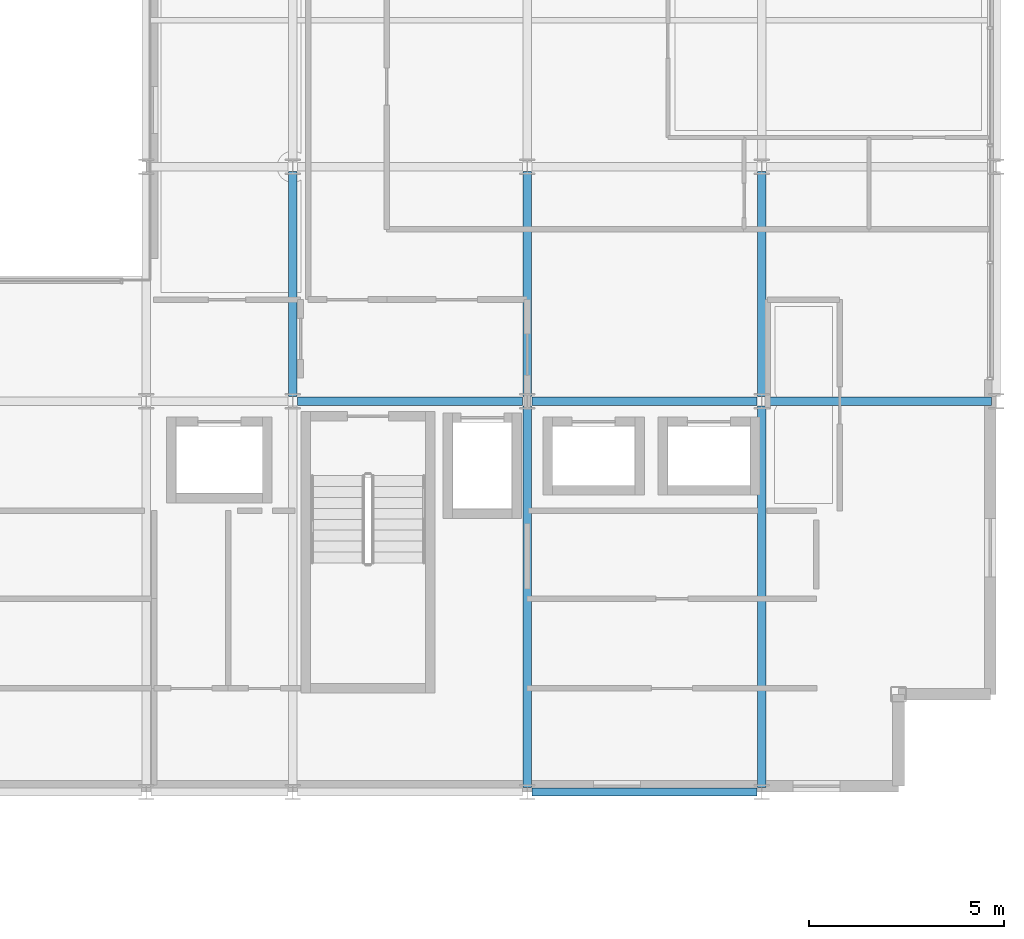
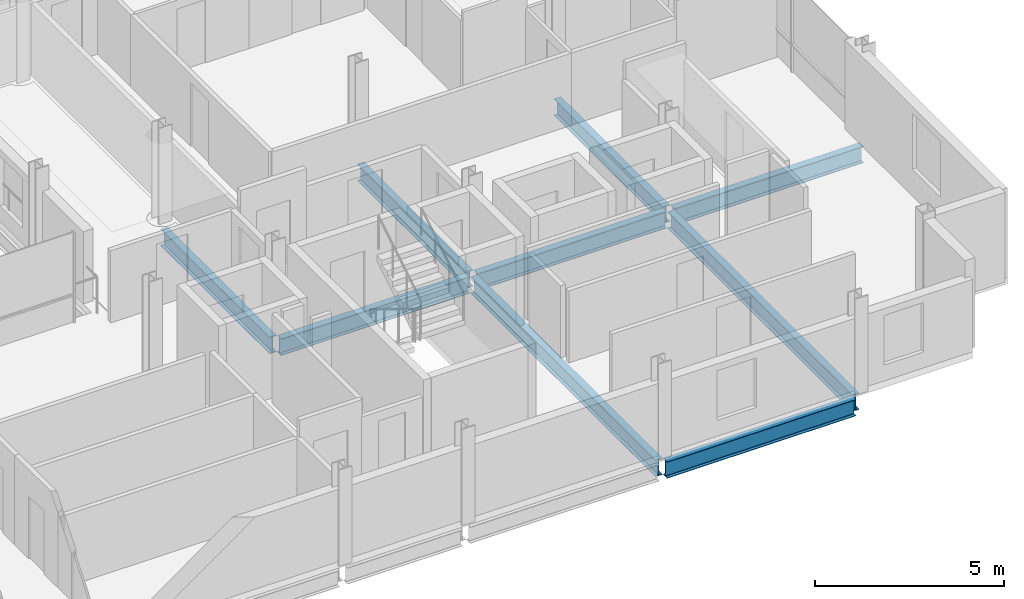
# One storey, part 17 of 35: 9 beams.
"""IFC4 building model written with IfcOpenShell, lengths in metres."""

from ifc_helpers import new_model, si_unit, direction, frame, origin, origin_2d, place, context, subcontext, project, spatial, i_section, extrude, material, material_profile, profile_set, type_object, element, save


model = new_model("IFC4")

# Units and contexts
model_context = context("Model", 3, precision=1e-05, world=origin(), true_north=direction((0.0, 1.0)))
body_context = subcontext(model_context, "Body", "Model", "MODEL_VIEW")
ifc_project = project(units=[si_unit("LENGTHUNIT", "METRE"), si_unit("AREAUNIT", "SQUARE_METRE"), si_unit("VOLUMEUNIT", "CUBIC_METRE"), si_unit("PLANEANGLEUNIT", "RADIAN"), si_unit("MASSUNIT", "GRAM", prefix="KILO")], contexts=[model_context])

# Site, building, storey
site_placement = place(None, origin())
site = spatial("IfcSite", under=ifc_project, at=site_placement, CompositionType="ELEMENT")
building_placement = place(site_placement, origin())
building = spatial("IfcBuilding", under=site, at=building_placement, Name="Brevholm Reach", CompositionType="ELEMENT")
storey_placement = place(building_placement, frame((0.0, 0.0, 183.199951171875)))
storey = spatial("IfcBuildingStorey", under=building, at=storey_placement, Name="L55", CompositionType="ELEMENT", Elevation=183.199951171875)

# Beams
ifc_material_1 = material(Name="Structural Steel S355J2", Category="steel")
ifc_material_profile_1 = material_profile(ifc_material_1, i_section(OverallWidth=0.209228515625, OverallDepth=0.533203125, WebThickness=0.010009765625, FlangeThickness=0.015625, FilletRadius=0.0126953125, at=origin_2d()), Name="UKB 533x210x92")
ifc_profile_set_1 = profile_set([ifc_material_profile_1], Name="Structural Steel S355J2")
beam_type_1 = type_object("IfcBeamType", Name="BM-SP533", PredefinedType="SPANDREL", material=ifc_profile_set_1)
beam_1_placement = place(storey_placement, frame((48.1201171875, 0.0, -0.4765625), z_axis=(1.0, 0.0, 0.0), x_axis=(0.0, 1.0, 0.0)))
element("IfcBeam", 1, at=beam_1_placement, inside=storey, type_object=beam_type_1, Name="L55 SP-02 Framing Beam", PredefinedType="SPANDREL", context=body_context, shape_type="SweptSolid", body=[
    extrude(i_section(OverallWidth=0.209228515625, OverallDepth=0.533203125, WebThickness=0.010009765625, FlangeThickness=0.015625, FilletRadius=0.0126953125, at=origin_2d()), origin(), (0.0, 0.0, 1.0), 5.759765625),
])
ifc_material_2 = material(Name="Structural Steel S355J2", Category="steel")
ifc_material_profile_2 = material_profile(ifc_material_2, i_section(OverallWidth=0.210693359375, OverallDepth=0.53955078125, WebThickness=0.01171875, FlangeThickness=0.018798828125, FilletRadius=0.0126953125, at=origin_2d()), Name="UKB 533x210x109")
ifc_profile_set_2 = profile_set([ifc_material_profile_2], Name="Structural Steel S355J2")
beam_type_2 = type_object("IfcBeamType", Name="BM-SP539", PredefinedType="SPANDREL", material=ifc_profile_set_2)
for number, where, z_axis, x_axis, name in (
    (2, (42.1201171875, 10.0, -0.479736328125), (1.0, 0.0, 0.0), (0.0, 1.0, 0.0), "L55 SP-01B Framing Beam"),
    (3, (48.1201171875, 10.0, -0.479736328125), (1.0, 0.0, 0.0), (0.0, 1.0, 0.0), "L55 SP-01B Framing Beam"),
    (4, (54.1201171875, 10.0, -0.479736328125), (1.0, 0.0, 0.0), (0.0, 1.0, 0.0), "L55 SP-01B Framing Beam"),
    (5, (42.0, 10.1201171875, -0.479736328125), (0.0, 1.0, 0.0), (-1.0, 0.0, 0.0), "L55 SP-01B Framing Beam"),
):
    element("IfcBeam", number, at=place(storey_placement, frame(where, z_axis=z_axis, x_axis=x_axis)), inside=storey, type_object=beam_type_2, Name=name, PredefinedType="SPANDREL", context=body_context, shape_type="SweptSolid", body=[
        extrude(i_section(OverallWidth=0.210693359375, OverallDepth=0.53955078125, WebThickness=0.01171875, FlangeThickness=0.018798828125, FilletRadius=0.0126953125, at=origin_2d()), origin(), (0.0, 0.0, 1.0), 5.759765625),
    ])
beam_2_placement = place(storey_placement, frame((48.0, 0.1201171875, -0.479736328125), z_axis=(0.0, 1.0, 0.0), x_axis=(-1.0, 0.0, 0.0)))
element("IfcBeam", 6, at=beam_2_placement, inside=storey, type_object=beam_type_2, Name="L55 SP-01B Framing Beam", PredefinedType="SPANDREL", context=body_context, shape_type="SweptSolid", body=[
    extrude(i_section(OverallWidth=0.210693359375, OverallDepth=0.53955078125, WebThickness=0.01171875, FlangeThickness=0.018798828125, FilletRadius=0.0126953125, at=origin_2d()), origin(), (0.0, 0.0, 1.0), 9.759765625),
])
beam_3_placement = place(storey_placement, frame((48.0, 10.1201171875, -0.479736328125), z_axis=(0.0, 1.0, 0.0), x_axis=(-1.0, 0.0, 0.0)))
element("IfcBeam", 7, at=beam_3_placement, inside=storey, type_object=beam_type_2, Name="L55 SP-01B Framing Beam", PredefinedType="SPANDREL", context=body_context, shape_type="SweptSolid", body=[
    extrude(i_section(OverallWidth=0.210693359375, OverallDepth=0.53955078125, WebThickness=0.01171875, FlangeThickness=0.018798828125, FilletRadius=0.0126953125, at=origin_2d()), origin(), (0.0, 0.0, 1.0), 5.759765625),
])
beam_4_placement = place(storey_placement, frame((54.0, 0.1201171875, -0.479736328125), z_axis=(0.0, 1.0, 0.0), x_axis=(-1.0, 0.0, 0.0)))
element("IfcBeam", 8, at=beam_4_placement, inside=storey, type_object=beam_type_2, Name="L55 SP-01B Framing Beam", PredefinedType="SPANDREL", context=body_context, shape_type="SweptSolid", body=[
    extrude(i_section(OverallWidth=0.210693359375, OverallDepth=0.53955078125, WebThickness=0.01171875, FlangeThickness=0.018798828125, FilletRadius=0.0126953125, at=origin_2d()), origin(), (0.0, 0.0, 1.0), 9.759765625),
])
beam_5_placement = place(storey_placement, frame((54.0, 10.1201171875, -0.479736328125), z_axis=(0.0, 1.0, 0.0), x_axis=(-1.0, 0.0, 0.0)))
element("IfcBeam", 9, at=beam_5_placement, inside=storey, type_object=beam_type_2, Name="L55 SP-01B Framing Beam", PredefinedType="SPANDREL", context=body_context, shape_type="SweptSolid", body=[
    extrude(i_section(OverallWidth=0.210693359375, OverallDepth=0.53955078125, WebThickness=0.01171875, FlangeThickness=0.018798828125, FilletRadius=0.0126953125, at=origin_2d()), origin(), (0.0, 0.0, 1.0), 5.759765625),
])

save(model, "model.ifc")
